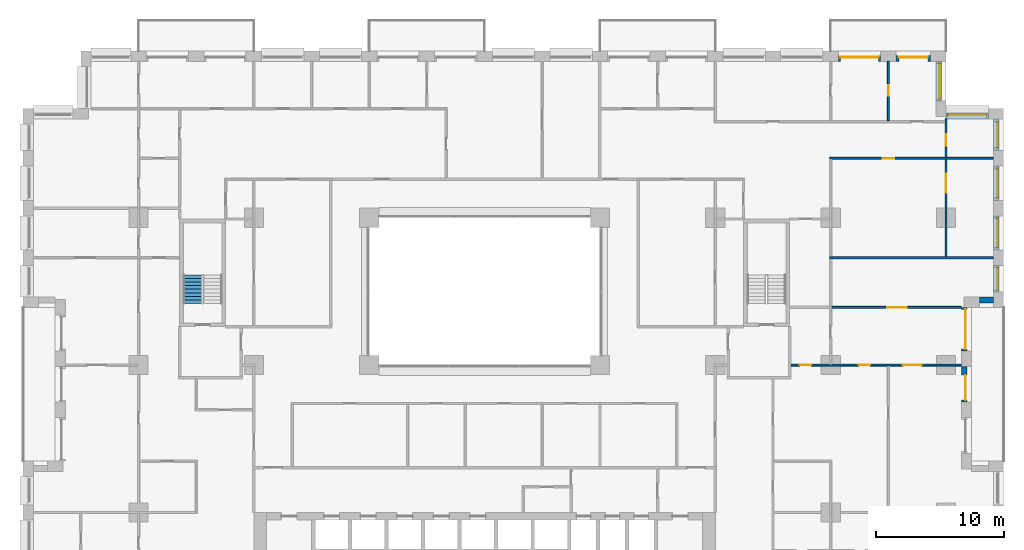
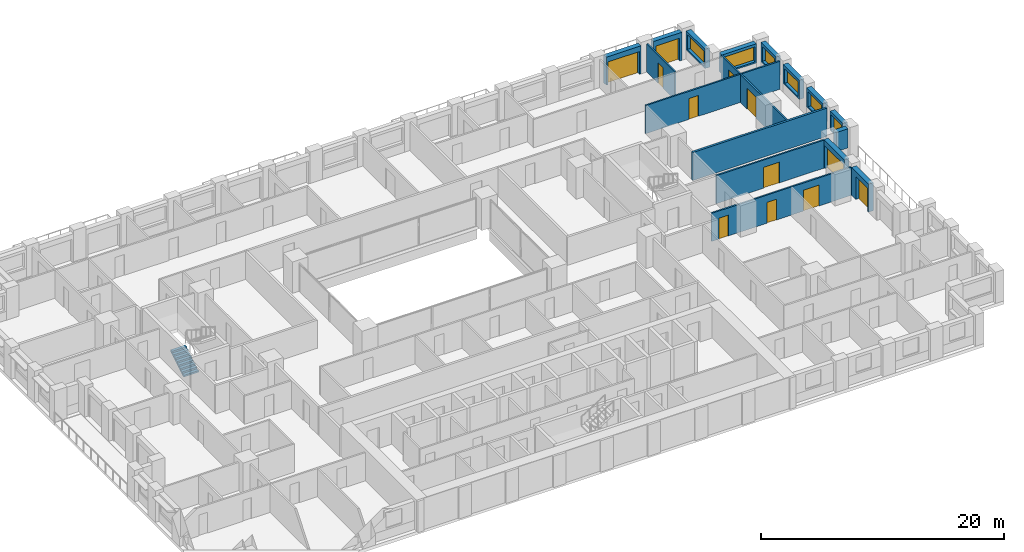
# One storey, part 18 of 21: 18 walls, 12 doors, 6 windows, 1 stair flight, 18 openings, 1 element without a shape of its own.
"""IFC4 building model written with IfcOpenShell, lengths in metres."""

from ifc_helpers import new_model, si_unit, direction, frame, frame_2d, origin, place, context, subcontext, project, spatial, polyline, rectangle, outline, extrude, material, layer, layer_set, type_object, element, fill, aggregate, save


model = new_model("IFC4")

# Units and contexts
model_context = context("Model", 3, precision=1e-05, world=origin(), true_north=direction((0.0, 1.0)))
body_context = subcontext(model_context, "Body", "Model", "MODEL_VIEW")
ifc_project = project(units=[si_unit("LENGTHUNIT", "METRE"), si_unit("AREAUNIT", "SQUARE_METRE"), si_unit("VOLUMEUNIT", "CUBIC_METRE"), si_unit("PLANEANGLEUNIT", "RADIAN"), si_unit("MASSUNIT", "GRAM", prefix="KILO")], contexts=[model_context])

# Site, building, storey
site_placement = place(None, origin())
site = spatial("IfcSite", under=ifc_project, at=site_placement, CompositionType="ELEMENT")
building_placement = place(site_placement, origin())
building = spatial("IfcBuilding", under=site, at=building_placement, Name="Brigalow Station Residences", CompositionType="ELEMENT")
storey_placement = place(building_placement, frame((0.0, 0.0, 47.85009765625)))
storey = spatial("IfcBuildingStorey", under=building, at=storey_placement, Name="L13", CompositionType="ELEMENT", Elevation=47.85009765625)

# Wall, opening, door
ifc_material_1 = material(Name="Clay brick masonry", Category="masonry")
ifc_layer_1 = layer(ifc_material_1, 0.449951171875)
ifc_layer_set_1 = layer_set([ifc_layer_1], Name="BRICK INFILL WALL 450")
wall_type_1 = type_object("IfcWallType", Name="BRICK INFILL WALL 450", PredefinedType="SOLIDWALL", material=ifc_layer_set_1)
wall_1_placement = place(storey_placement, frame((73.425048828125, 21.10009765625, 0.0), z_axis=(0.0, 0.0, 1.0), x_axis=(0.0, 1.0, 0.0)))
wall_1 = element("IfcWall", 1, at=wall_1_placement, inside=storey, type_object=wall_type_1, Name="L13/ewall/W-L13-16", PredefinedType="SOLIDWALL", context=body_context, shape_type="SweptSolid", body=[
    extrude(rectangle(XDim=2.7998046875, YDim=0.449951171875, at=frame_2d((1.39990234375, 0.0))), origin(), (0.0, 0.0, 1.0), 2.829833984375),
])
opening_1_placement = place(wall_1_placement, frame((0.1650390625, 0.0, 0.0)))
opening_1 = element("IfcOpeningElement", 2, at=opening_1_placement, cuts=wall_1, Name="Opening D-B1950", PredefinedType="OPENING", context=body_context, shape_type="SweptSolid", body=[
    extrude(rectangle(XDim=1.949951171875, YDim=2.300048828125, at=frame_2d((0.97509765625, 1.14990234375))), frame((0.0, 0.23486328125, 0.0), z_axis=(0.0, -1.0, 0.0), x_axis=(1.0, 0.0, 0.0)), (0.0, 0.0, 1.0), 0.469970703125),
])
ifc_material_2 = material(Name="Anodised aluminium frame with double glazing", Category="aluminium")
door_type_1 = type_object("IfcDoorType", Name="BALCONY SLIDING DOOR 1950x2300", OperationType="SLIDING_TO_LEFT", PredefinedType="DOOR", material=ifc_material_2)
door_1_placement = place(opening_1_placement, origin())
door_1 = element("IfcDoor", 3, at=door_1_placement, inside=storey, type_object=door_type_1, Name="L13/balcony-door/W-L13-16", OperationType="SLIDING_TO_LEFT", OverallHeight=2.300048828125, OverallWidth=1.949951171875, PredefinedType="DOOR", context=body_context, shape_type="SweptSolid", body=[
    extrude(rectangle(XDim=1.949951171875, YDim=2.300048828125, at=frame_2d((0.97509765625, 1.14990234375))), frame((0.0, -0.06982421875, 0.0), z_axis=(0.0, -1.0, 0.0), x_axis=(1.0, 0.0, 0.0)), (0.0, 0.0, 1.0), 0.050048828125),
])
fill(opening_1, door_1)

wall_2_placement = place(storey_placement, frame((73.425048828125, 25.10009765625, 0.0), z_axis=(0.0, 0.0, 1.0), x_axis=(0.0, 1.0, 0.0)))
wall_2 = element("IfcWall", 4, at=wall_2_placement, inside=storey, type_object=wall_type_1, Name="L13/ewall/W-L13-17", PredefinedType="SOLIDWALL", context=body_context, shape_type="SweptSolid", body=[
    extrude(rectangle(XDim=3.39990234375, YDim=0.449951171875, at=frame_2d((1.699951171875, 0.0))), origin(), (0.0, 0.0, 1.0), 2.829833984375),
])
opening_2_placement = place(wall_2_placement, frame((0.14990234375, 0.0, 0.0)))
opening_2 = element("IfcOpeningElement", 5, at=opening_2_placement, cuts=wall_2, Name="Opening D-B3100", PredefinedType="OPENING", context=body_context, shape_type="SweptSolid", body=[
    extrude(rectangle(XDim=3.10009765625, YDim=2.300048828125, at=frame_2d((1.550048828125, 1.14990234375))), frame((0.0, 0.23486328125, 0.0), z_axis=(0.0, -1.0, 0.0), x_axis=(1.0, 0.0, 0.0)), (0.0, 0.0, 1.0), 0.469970703125),
])
ifc_material_3 = material(Name="Anodised aluminium frame with double glazing", Category="aluminium")
door_type_2 = type_object("IfcDoorType", Name="BALCONY SLIDING DOOR 3100x2300", OperationType="SLIDING_TO_LEFT", PredefinedType="DOOR", material=ifc_material_3)
door_2_placement = place(opening_2_placement, origin())
door_2 = element("IfcDoor", 6, at=door_2_placement, inside=storey, type_object=door_type_2, Name="L13/balcony-door/W-L13-17", OperationType="SLIDING_TO_LEFT", OverallHeight=2.300048828125, OverallWidth=3.10009765625, PredefinedType="DOOR", context=body_context, shape_type="SweptSolid", body=[
    extrude(rectangle(XDim=3.10009765625, YDim=2.300048828125, at=frame_2d((1.550048828125, 1.14990234375))), frame((0.0, -0.06982421875, 0.0), z_axis=(0.0, -1.0, 0.0), x_axis=(1.0, 0.0, 0.0)), (0.0, 0.0, 1.0), 0.050048828125),
])
fill(opening_2, door_2)

# Wall
wall_3_placement = place(storey_placement, frame((74.60009765625, 29.074951171875, 0.89990234375), z_axis=(0.0, 0.0, 1.0), x_axis=(1.0, 0.0, 0.0)))
element("IfcWall", 7, at=wall_3_placement, inside=storey, type_object=wall_type_1, Name="L13/ewall/W-L13-18", PredefinedType="SOLIDWALL", context=body_context, shape_type="SweptSolid", body=[
    extrude(rectangle(XDim=1.099853515625, YDim=0.449951171875, at=frame_2d((0.5498046875, 0.0))), origin(), (0.0, 0.0, 1.0), 1.929931640625),
])

# Wall, opening, window
wall_4_placement = place(storey_placement, frame((75.925048828125, 29.699951171875, 0.89990234375), z_axis=(0.0, 0.0, 1.0), x_axis=(0.0, 1.0, 0.0)))
wall_4 = element("IfcWall", 8, at=wall_4_placement, inside=storey, type_object=wall_type_1, Name="L13/ewall/W-L13-19", PredefinedType="SOLIDWALL", context=body_context, shape_type="SweptSolid", body=[
    extrude(rectangle(XDim=2.074951171875, YDim=0.449951171875, at=frame_2d((1.03759765625, 0.0))), origin(), (0.0, 0.0, 1.0), 1.929931640625),
])
opening_3_placement = place(wall_4_placement, frame((0.16259765625, 0.0, 0.14990234375)))
opening_3 = element("IfcOpeningElement", 9, at=opening_3_placement, cuts=wall_4, Name="Opening WT-4", PredefinedType="OPENING", context=body_context, shape_type="SweptSolid", body=[
    extrude(rectangle(XDim=1.75, YDim=1.5, at=frame_2d((0.875, 0.75))), frame((0.0, 0.23486328125, 0.0), z_axis=(0.0, -1.0, 0.0), x_axis=(1.0, 0.0, 0.0)), (0.0, 0.0, 1.0), 0.469970703125),
])
ifc_material_4 = material(Name="Anodised aluminium frame with double glazing", Category="aluminium")
window_type_1 = type_object("IfcWindowType", Name="WINDOW 1750x1500", PartitioningType="SINGLE_PANEL", PredefinedType="WINDOW", material=ifc_material_4)
window_1_placement = place(opening_3_placement, origin())
window_1 = element("IfcWindow", 10, at=window_1_placement, inside=storey, type_object=window_type_1, Name="L13/window/W-L13-19", OverallHeight=1.5, OverallWidth=1.75, PartitioningType="SINGLE_PANEL", PredefinedType="WINDOW", context=body_context, shape_type="SweptSolid", body=[
    extrude(rectangle(XDim=1.75, YDim=1.5, at=frame_2d((0.875, 0.75))), frame((0.0, -0.06494140625, 0.0), z_axis=(0.0, -1.0, 0.0), x_axis=(1.0, 0.0, 0.0)), (0.0, 0.0, 1.0), 0.06005859375),
])
fill(opening_3, window_1)

wall_5_placement = place(storey_placement, frame((75.925048828125, 32.97509765625, 0.89990234375), z_axis=(0.0, 0.0, 1.0), x_axis=(0.0, 1.0, 0.0)))
wall_5 = element("IfcWall", 11, at=wall_5_placement, inside=storey, type_object=wall_type_1, Name="L13/ewall/W-L13-20", PredefinedType="SOLIDWALL", context=body_context, shape_type="SweptSolid", body=[
    extrude(rectangle(XDim=2.6748046875, YDim=0.449951171875, at=frame_2d((1.33740234375, 0.0))), origin(), (0.0, 0.0, 1.0), 1.929931640625),
])
opening_4_placement = place(wall_5_placement, frame((0.21240234375, 0.0, 0.14990234375)))
opening_4 = element("IfcOpeningElement", 12, at=opening_4_placement, cuts=wall_5, Name="Opening WT-6", PredefinedType="OPENING", context=body_context, shape_type="SweptSolid", body=[
    extrude(rectangle(XDim=2.25, YDim=1.5, at=frame_2d((1.125, 0.75))), frame((0.0, 0.23486328125, 0.0), z_axis=(0.0, -1.0, 0.0), x_axis=(1.0, 0.0, 0.0)), (0.0, 0.0, 1.0), 0.469970703125),
])
ifc_material_5 = material(Name="Anodised aluminium frame with double glazing", Category="aluminium")
window_type_2 = type_object("IfcWindowType", Name="WINDOW 2250x1500", PartitioningType="SINGLE_PANEL", PredefinedType="WINDOW", material=ifc_material_5)
window_2_placement = place(opening_4_placement, origin())
window_2 = element("IfcWindow", 13, at=window_2_placement, inside=storey, type_object=window_type_2, Name="L13/window/W-L13-20", OverallHeight=1.5, OverallWidth=2.25, PartitioningType="SINGLE_PANEL", PredefinedType="WINDOW", context=body_context, shape_type="SweptSolid", body=[
    extrude(rectangle(XDim=2.25, YDim=1.5, at=frame_2d((1.125, 0.75))), frame((0.0, -0.06494140625, 0.0), z_axis=(0.0, -1.0, 0.0), x_axis=(1.0, 0.0, 0.0)), (0.0, 0.0, 1.0), 0.06005859375),
])
fill(opening_4, window_2)

wall_6_placement = place(storey_placement, frame((75.925048828125, 36.85009765625, 0.89990234375), z_axis=(0.0, 0.0, 1.0), x_axis=(0.0, 1.0, 0.0)))
wall_6 = element("IfcWall", 14, at=wall_6_placement, inside=storey, type_object=wall_type_1, Name="L13/ewall/W-L13-21", PredefinedType="SOLIDWALL", context=body_context, shape_type="SweptSolid", body=[
    extrude(rectangle(XDim=2.6748046875, YDim=0.449951171875, at=frame_2d((1.33740234375, 0.0))), origin(), (0.0, 0.0, 1.0), 1.929931640625),
])
opening_5_placement = place(wall_6_placement, frame((0.21240234375, 0.0, 0.14990234375)))
opening_5 = element("IfcOpeningElement", 15, at=opening_5_placement, cuts=wall_6, Name="Opening WT-6", PredefinedType="OPENING", context=body_context, shape_type="SweptSolid", body=[
    extrude(rectangle(XDim=2.25, YDim=1.5, at=frame_2d((1.125, 0.75))), frame((0.0, 0.23486328125, 0.0), z_axis=(0.0, -1.0, 0.0), x_axis=(1.0, 0.0, 0.0)), (0.0, 0.0, 1.0), 0.469970703125),
])
window_3_placement = place(opening_5_placement, origin())
window_3 = element("IfcWindow", 16, at=window_3_placement, inside=storey, type_object=window_type_2, Name="L13/window/W-L13-21", OverallHeight=1.5, OverallWidth=2.25, PartitioningType="SINGLE_PANEL", PredefinedType="WINDOW", context=body_context, shape_type="SweptSolid", body=[
    extrude(rectangle(XDim=2.25, YDim=1.5, at=frame_2d((1.125, 0.75))), frame((0.0, -0.06494140625, 0.0), z_axis=(0.0, -1.0, 0.0), x_axis=(1.0, 0.0, 0.0)), (0.0, 0.0, 1.0), 0.06005859375),
])
fill(opening_5, window_3)

wall_7_placement = place(storey_placement, frame((75.925048828125, 40.72509765625, 0.89990234375), z_axis=(0.0, 0.0, 1.0), x_axis=(0.0, 1.0, 0.0)))
wall_7 = element("IfcWall", 17, at=wall_7_placement, inside=storey, type_object=wall_type_1, Name="L13/ewall/W-L13-22", PredefinedType="SOLIDWALL", context=body_context, shape_type="SweptSolid", body=[
    extrude(rectangle(XDim=2.474853515625, YDim=0.449951171875, at=frame_2d((1.2373046875, 0.0))), origin(), (0.0, 0.0, 1.0), 1.929931640625),
])
opening_6_placement = place(wall_7_placement, frame((0.237548828125, 0.0, 0.14990234375)))
opening_6 = element("IfcOpeningElement", 18, at=opening_6_placement, cuts=wall_7, Name="Opening WT-7", PredefinedType="OPENING", context=body_context, shape_type="SweptSolid", body=[
    extrude(rectangle(XDim=2.0, YDim=1.5, at=frame_2d((1.0, 0.75))), frame((0.0, 0.23486328125, 0.0), z_axis=(0.0, -1.0, 0.0), x_axis=(1.0, 0.0, 0.0)), (0.0, 0.0, 1.0), 0.469970703125),
])
ifc_material_6 = material(Name="Anodised aluminium frame with double glazing", Category="aluminium")
window_type_3 = type_object("IfcWindowType", Name="WINDOW 2000x1500", PartitioningType="SINGLE_PANEL", PredefinedType="WINDOW", material=ifc_material_6)
window_4_placement = place(opening_6_placement, origin())
window_4 = element("IfcWindow", 19, at=window_4_placement, inside=storey, type_object=window_type_3, Name="L13/window/W-L13-22", OverallHeight=1.5, OverallWidth=2.0, PartitioningType="SINGLE_PANEL", PredefinedType="WINDOW", context=body_context, shape_type="SweptSolid", body=[
    extrude(rectangle(XDim=2.0, YDim=1.5, at=frame_2d((1.0, 0.75))), frame((0.0, -0.06494140625, 0.0), z_axis=(0.0, -1.0, 0.0), x_axis=(1.0, 0.0, 0.0)), (0.0, 0.0, 1.0), 0.06005859375),
])
fill(opening_6, window_4)

wall_8_placement = place(storey_placement, frame((75.300048828125, 43.425048828125, 0.89990234375), z_axis=(0.0, 0.0, 1.0), x_axis=(-1.0, 0.0, 0.0)))
wall_8 = element("IfcWall", 20, at=wall_8_placement, inside=storey, type_object=wall_type_1, Name="L13/ewall/W-L13-23", PredefinedType="SOLIDWALL", context=body_context, shape_type="SweptSolid", body=[
    extrude(rectangle(XDim=3.300048828125, YDim=0.449951171875, at=frame_2d((1.64990234375, 0.0))), origin(), (0.0, 0.0, 1.0), 1.929931640625),
])
opening_7_placement = place(wall_8_placement, frame((0.14990234375, 0.0, 0.14990234375)))
opening_7 = element("IfcOpeningElement", 21, at=opening_7_placement, cuts=wall_8, Name="Opening WT-2", PredefinedType="OPENING", context=body_context, shape_type="SweptSolid", body=[
    extrude(rectangle(XDim=3.0, YDim=1.5, at=frame_2d((1.5, 0.75))), frame((0.0, 0.23486328125, 0.0), z_axis=(0.0, -1.0, 0.0), x_axis=(1.0, 0.0, 0.0)), (0.0, 0.0, 1.0), 0.469970703125),
])
ifc_material_7 = material(Name="Anodised aluminium frame with double glazing", Category="aluminium")
window_type_4 = type_object("IfcWindowType", Name="WINDOW 3000x1500", PartitioningType="SINGLE_PANEL", PredefinedType="WINDOW", material=ifc_material_7)
window_5_placement = place(opening_7_placement, origin())
window_5 = element("IfcWindow", 22, at=window_5_placement, inside=storey, type_object=window_type_4, Name="L13/window/W-L13-23", OverallHeight=1.5, OverallWidth=3.0, PartitioningType="SINGLE_PANEL", PredefinedType="WINDOW", context=body_context, shape_type="SweptSolid", body=[
    extrude(rectangle(XDim=3.0, YDim=1.5, at=frame_2d((1.5, 0.75))), frame((0.0, -0.06494140625, 0.0), z_axis=(0.0, -1.0, 0.0), x_axis=(1.0, 0.0, 0.0)), (0.0, 0.0, 1.0), 0.06005859375),
])
fill(opening_7, window_5)

wall_9_placement = place(storey_placement, frame((71.425048828125, 44.60009765625, 0.89990234375), z_axis=(0.0, 0.0, 1.0), x_axis=(0.0, 1.0, 0.0)))
wall_9 = element("IfcWall", 23, at=wall_9_placement, inside=storey, type_object=wall_type_1, Name="L13/ewall/W-L13-24", PredefinedType="SOLIDWALL", context=body_context, shape_type="SweptSolid", body=[
    extrude(rectangle(XDim=3.099853515625, YDim=0.449951171875, at=frame_2d((1.5498046875, 0.0))), origin(), (0.0, 0.0, 1.0), 1.929931640625),
])
opening_8_placement = place(wall_9_placement, frame((0.175048828125, 0.0, 0.14990234375)))
opening_8 = element("IfcOpeningElement", 24, at=opening_8_placement, cuts=wall_9, Name="Opening WT-3", PredefinedType="OPENING", context=body_context, shape_type="SweptSolid", body=[
    extrude(rectangle(XDim=2.75, YDim=1.5, at=frame_2d((1.375, 0.75))), frame((0.0, 0.23486328125, 0.0), z_axis=(0.0, -1.0, 0.0), x_axis=(1.0, 0.0, 0.0)), (0.0, 0.0, 1.0), 0.469970703125),
])
ifc_material_8 = material(Name="Anodised aluminium frame with double glazing", Category="aluminium")
window_type_5 = type_object("IfcWindowType", Name="WINDOW 2750x1500", PartitioningType="SINGLE_PANEL", PredefinedType="WINDOW", material=ifc_material_8)
window_6_placement = place(opening_8_placement, origin())
window_6 = element("IfcWindow", 25, at=window_6_placement, inside=storey, type_object=window_type_5, Name="L13/window/W-L13-24", OverallHeight=1.5, OverallWidth=2.75, PartitioningType="SINGLE_PANEL", PredefinedType="WINDOW", context=body_context, shape_type="SweptSolid", body=[
    extrude(rectangle(XDim=2.75, YDim=1.5, at=frame_2d((1.375, 0.75))), frame((0.0, -0.06494140625, 0.0), z_axis=(0.0, -1.0, 0.0), x_axis=(1.0, 0.0, 0.0)), (0.0, 0.0, 1.0), 0.06005859375),
])
fill(opening_8, window_6)

# Wall, opening, door
wall_10_placement = place(storey_placement, frame((70.800048828125, 47.925048828125, 0.0), z_axis=(0.0, 0.0, 1.0), x_axis=(-1.0, 0.0, 0.0)))
wall_10 = element("IfcWall", 26, at=wall_10_placement, inside=storey, type_object=wall_type_1, Name="L13/ewall/W-L13-25", PredefinedType="SOLIDWALL", context=body_context, shape_type="SweptSolid", body=[
    extrude(rectangle(XDim=2.699951171875, YDim=0.449951171875, at=frame_2d((1.35009765625, 0.0))), origin(), (0.0, 0.0, 1.0), 2.829833984375),
])
opening_9_placement = place(wall_10_placement, frame((0.22509765625, 0.0, 0.0)))
opening_9 = element("IfcOpeningElement", 27, at=opening_9_placement, cuts=wall_10, Name="Opening D-B2250", PredefinedType="OPENING", context=body_context, shape_type="SweptSolid", body=[
    extrude(rectangle(XDim=2.25, YDim=2.300048828125, at=frame_2d((1.125, 1.14990234375))), frame((0.0, 0.23486328125, 0.0), z_axis=(0.0, -1.0, 0.0), x_axis=(1.0, 0.0, 0.0)), (0.0, 0.0, 1.0), 0.469970703125),
])
ifc_material_9 = material(Name="Anodised aluminium frame with double glazing", Category="aluminium")
door_type_3 = type_object("IfcDoorType", Name="BALCONY SLIDING DOOR 2250x2300", OperationType="SLIDING_TO_LEFT", PredefinedType="DOOR", material=ifc_material_9)
door_3_placement = place(opening_9_placement, origin())
door_3 = element("IfcDoor", 28, at=door_3_placement, inside=storey, type_object=door_type_3, Name="L13/balcony-door/W-L13-25", OperationType="SLIDING_TO_LEFT", OverallHeight=2.300048828125, OverallWidth=2.25, PredefinedType="DOOR", context=body_context, shape_type="SweptSolid", body=[
    extrude(rectangle(XDim=2.25, YDim=2.300048828125, at=frame_2d((1.125, 1.14990234375))), frame((0.0, -0.06982421875, 0.0), z_axis=(0.0, -1.0, 0.0), x_axis=(1.0, 0.0, 0.0)), (0.0, 0.0, 1.0), 0.050048828125),
])
fill(opening_9, door_3)

wall_11_placement = place(storey_placement, frame((66.89990234375, 47.925048828125, 0.0), z_axis=(0.0, 0.0, 1.0), x_axis=(-1.0, 0.0, 0.0)))
wall_11 = element("IfcWall", 29, at=wall_11_placement, inside=storey, type_object=wall_type_1, Name="L13/ewall/W-L13-26", PredefinedType="SOLIDWALL", context=body_context, shape_type="SweptSolid", body=[
    extrude(rectangle(XDim=3.2998046875, YDim=0.449951171875, at=frame_2d((1.64990234375, 0.0))), origin(), (0.0, 0.0, 1.0), 2.829833984375),
])
opening_10_placement = place(wall_11_placement, frame((0.14990234375, 0.0, 0.0)))
opening_10 = element("IfcOpeningElement", 30, at=opening_10_placement, cuts=wall_11, Name="Opening D-B3000", PredefinedType="OPENING", context=body_context, shape_type="SweptSolid", body=[
    extrude(rectangle(XDim=3.0, YDim=2.300048828125, at=frame_2d((1.5, 1.14990234375))), frame((0.0, 0.23486328125, 0.0), z_axis=(0.0, -1.0, 0.0), x_axis=(1.0, 0.0, 0.0)), (0.0, 0.0, 1.0), 0.469970703125),
])
ifc_material_10 = material(Name="Anodised aluminium frame with double glazing", Category="aluminium")
door_type_4 = type_object("IfcDoorType", Name="BALCONY SLIDING DOOR 3000x2300", OperationType="SLIDING_TO_LEFT", PredefinedType="DOOR", material=ifc_material_10)
door_4_placement = place(opening_10_placement, origin())
door_4 = element("IfcDoor", 31, at=door_4_placement, inside=storey, type_object=door_type_4, Name="L13/balcony-door/W-L13-26", OperationType="SLIDING_TO_LEFT", OverallHeight=2.300048828125, OverallWidth=3.0, PredefinedType="DOOR", context=body_context, shape_type="SweptSolid", body=[
    extrude(rectangle(XDim=3.0, YDim=2.300048828125, at=frame_2d((1.5, 1.14990234375))), frame((0.0, -0.06982421875, 0.0), z_axis=(0.0, -1.0, 0.0), x_axis=(1.0, 0.0, 0.0)), (0.0, 0.0, 1.0), 0.050048828125),
])
fill(opening_10, door_4)

# Wall, openings, doors
ifc_material_11 = material(Name="Plasterboard on steel stud partition", Category="steel")
ifc_layer_2 = layer(ifc_material_11, 0.14990234375)
ifc_layer_set_2 = layer_set([ifc_layer_2], Name="FLAT PARTITION 150")
wall_type_2 = type_object("IfcWallType", Name="FLAT PARTITION 150", PredefinedType="PARTITIONING", material=ifc_layer_set_2)
wall_12_placement = place(storey_placement, frame((59.89990234375, 24.0, 0.0), z_axis=(0.0, 0.0, 1.0), x_axis=(1.0, 0.0, 0.0)))
wall_12 = element("IfcWall", 32, at=wall_12_placement, inside=storey, type_object=wall_type_2, Name="PW-1D03", PredefinedType="PARTITIONING", context=body_context, shape_type="SweptSolid", body=[
    extrude(rectangle(XDim=13.300048828125, YDim=0.14990234375, at=frame_2d((6.64990234375, 0.0))), origin(), (0.0, 0.0, 1.0), 2.829833984375),
])
opening_11_placement = place(wall_12_placement, frame((5.27490234375, 0.0, 0.0)))
opening_11 = element("IfcOpeningElement", 33, at=opening_11_placement, cuts=wall_12, Name="Opening D-1D54", PredefinedType="OPENING", context=body_context, shape_type="SweptSolid", body=[
    extrude(rectangle(XDim=0.89990234375, YDim=2.10009765625, at=frame_2d((0.449951171875, 1.050048828125))), frame((0.0, 0.0849609375, 0.0), z_axis=(0.0, -1.0, 0.0), x_axis=(1.0, 0.0, 0.0)), (0.0, 0.0, 1.0), 0.169921875),
])
opening_12_placement = place(wall_12_placement, frame((8.72509765625, 0.0, 0.0)))
opening_12 = element("IfcOpeningElement", 34, at=opening_12_placement, cuts=wall_12, Name="Opening D-1D55", PredefinedType="OPENING", context=body_context, shape_type="SweptSolid", body=[
    extrude(rectangle(XDim=1.5, YDim=2.10009765625, at=frame_2d((0.75, 1.050048828125))), frame((0.0, 0.0849609375, 0.0), z_axis=(0.0, -1.0, 0.0), x_axis=(1.0, 0.0, 0.0)), (0.0, 0.0, 1.0), 0.169921875),
])
opening_13_placement = place(wall_12_placement, frame((0.675048828125, 0.0, 0.0)))
opening_13 = element("IfcOpeningElement", 35, at=opening_13_placement, cuts=wall_12, Name="Opening D-1D64", PredefinedType="OPENING", context=body_context, shape_type="SweptSolid", body=[
    extrude(rectangle(XDim=0.89990234375, YDim=2.10009765625, at=frame_2d((0.449951171875, 1.050048828125))), frame((0.0, 0.0849609375, 0.0), z_axis=(0.0, -1.0, 0.0), x_axis=(1.0, 0.0, 0.0)), (0.0, 0.0, 1.0), 0.169921875),
])
ifc_material_12 = material(Name="Solid-core timber door leaf", Category="wood")
door_type_5 = type_object("IfcDoorType", Name="INTERNAL DOOR 900 x 2100", OperationType="SINGLE_SWING_LEFT", PredefinedType="DOOR", material=ifc_material_12)
door_5_placement = place(opening_11_placement, origin())
door_5 = element("IfcDoor", 36, at=door_5_placement, inside=storey, type_object=door_type_5, Name="D-1D54", OperationType="SINGLE_SWING_LEFT", OverallHeight=2.10009765625, OverallWidth=0.89990234375, PredefinedType="DOOR", context=body_context, shape_type="SweptSolid", body=[
    extrude(rectangle(XDim=0.89990234375, YDim=2.10009765625, at=frame_2d((0.449951171875, 1.050048828125))), frame((0.0, 0.02490234375, 0.0), z_axis=(0.0, -1.0, 0.0), x_axis=(1.0, 0.0, 0.0)), (0.0, 0.0, 1.0), 0.050048828125),
])
fill(opening_11, door_5)
door_6_placement = place(opening_13_placement, origin())
door_6 = element("IfcDoor", 37, at=door_6_placement, inside=storey, type_object=door_type_5, Name="D-1D64", OperationType="SINGLE_SWING_LEFT", OverallHeight=2.10009765625, OverallWidth=0.89990234375, PredefinedType="DOOR", context=body_context, shape_type="SweptSolid", body=[
    extrude(rectangle(XDim=0.89990234375, YDim=2.10009765625, at=frame_2d((0.449951171875, 1.050048828125))), frame((0.0, 0.02490234375, 0.0), z_axis=(0.0, -1.0, 0.0), x_axis=(1.0, 0.0, 0.0)), (0.0, 0.0, 1.0), 0.050048828125),
])
fill(opening_13, door_6)
ifc_material_13 = material(Name="Solid-core timber door leaf", Category="wood")
door_type_6 = type_object("IfcDoorType", Name="INTERNAL DOUBLE DOOR 1500 x 2100", OperationType="DOUBLE_DOOR_SINGLE_SWING", PredefinedType="DOOR", material=ifc_material_13)
door_7_placement = place(opening_12_placement, origin())
door_7 = element("IfcDoor", 38, at=door_7_placement, inside=storey, type_object=door_type_6, Name="D-1D55", OperationType="DOUBLE_DOOR_SINGLE_SWING", OverallHeight=2.10009765625, OverallWidth=1.5, PredefinedType="DOOR", context=body_context, shape_type="SweptSolid", body=[
    extrude(rectangle(XDim=1.5, YDim=2.10009765625, at=frame_2d((0.75, 1.050048828125))), frame((0.0, 0.02490234375, 0.0), z_axis=(0.0, -1.0, 0.0), x_axis=(1.0, 0.0, 0.0)), (0.0, 0.0, 1.0), 0.050048828125),
])
fill(opening_12, door_7)

# Wall, opening, door
wall_13_placement = place(storey_placement, frame((62.925048828125, 40.125, 0.0), z_axis=(0.0, 0.0, 1.0), x_axis=(1.0, 0.0, 0.0)))
wall_13 = element("IfcWall", 39, at=wall_13_placement, inside=storey, type_object=wall_type_2, Name="PW-1D29", PredefinedType="PARTITIONING", context=body_context, shape_type="SweptSolid", body=[
    extrude(rectangle(XDim=12.77490234375, YDim=0.14990234375, at=frame_2d((6.387451171875, 0.0))), origin(), (0.0, 0.0, 1.0), 2.829833984375),
])
opening_14_placement = place(wall_13_placement, frame((4.125, 0.0, 0.0)))
opening_14 = element("IfcOpeningElement", 40, at=opening_14_placement, cuts=wall_13, Name="Opening D-1D42", PredefinedType="OPENING", context=body_context, shape_type="SweptSolid", body=[
    extrude(rectangle(XDim=0.89990234375, YDim=2.10009765625, at=frame_2d((0.449951171875, 1.050048828125))), frame((0.0, 0.0849609375, 0.0), z_axis=(0.0, -1.0, 0.0), x_axis=(1.0, 0.0, 0.0)), (0.0, 0.0, 1.0), 0.169921875),
])
door_8_placement = place(opening_14_placement, frame((0.89990234375, 0.0, 0.0), z_axis=(0.0, 0.0, 1.0), x_axis=(-1.0, 0.0, 0.0)))
door_8 = element("IfcDoor", 41, at=door_8_placement, inside=storey, type_object=door_type_5, Name="D-1D42", OperationType="SINGLE_SWING_LEFT", OverallHeight=2.10009765625, OverallWidth=0.89990234375, PredefinedType="DOOR", context=body_context, shape_type="SweptSolid", body=[
    extrude(rectangle(XDim=0.89990234375, YDim=2.10009765625, at=frame_2d((0.449951171875, 1.050048828125))), frame((0.0, 0.02490234375, 0.0), z_axis=(0.0, -1.0, 0.0), x_axis=(1.0, 0.0, 0.0)), (0.0, 0.0, 1.0), 0.050048828125),
])
fill(opening_14, door_8)

wall_14_placement = place(storey_placement, frame((62.925048828125, 28.5, 0.0), z_axis=(0.0, 0.0, 1.0), x_axis=(1.0, 0.0, 0.0)))
wall_14 = element("IfcWall", 42, at=wall_14_placement, inside=storey, type_object=wall_type_2, Name="PW-1D31", PredefinedType="PARTITIONING", context=body_context, shape_type="SweptSolid", body=[
    extrude(rectangle(XDim=10.27490234375, YDim=0.14990234375, at=frame_2d((5.137451171875, 0.0))), origin(), (0.0, 0.0, 1.0), 2.829833984375),
])
opening_15_placement = place(wall_14_placement, frame((4.5, 0.0, 0.0)))
opening_15 = element("IfcOpeningElement", 43, at=opening_15_placement, cuts=wall_14, Name="Opening D-1D53", PredefinedType="OPENING", context=body_context, shape_type="SweptSolid", body=[
    extrude(rectangle(XDim=1.5, YDim=2.10009765625, at=frame_2d((0.75, 1.050048828125))), frame((0.0, 0.0849609375, 0.0), z_axis=(0.0, -1.0, 0.0), x_axis=(1.0, 0.0, 0.0)), (0.0, 0.0, 1.0), 0.169921875),
])
door_9_placement = place(opening_15_placement, frame((1.5, 0.0, 0.0), z_axis=(0.0, 0.0, 1.0), x_axis=(-1.0, 0.0, 0.0)))
door_9 = element("IfcDoor", 44, at=door_9_placement, inside=storey, type_object=door_type_6, Name="D-1D53", OperationType="DOUBLE_DOOR_SINGLE_SWING", OverallHeight=2.10009765625, OverallWidth=1.5, PredefinedType="DOOR", context=body_context, shape_type="SweptSolid", body=[
    extrude(rectangle(XDim=1.5, YDim=2.10009765625, at=frame_2d((0.75, 1.050048828125))), frame((0.0, 0.02490234375, 0.0), z_axis=(0.0, -1.0, 0.0), x_axis=(1.0, 0.0, 0.0)), (0.0, 0.0, 1.0), 0.050048828125),
])
fill(opening_15, door_9)

wall_15_placement = place(storey_placement, frame((72.0, 32.47509765625, 0.0), z_axis=(0.0, 0.0, 1.0), x_axis=(0.0, 1.0, 0.0)))
wall_15 = element("IfcWall", 45, at=wall_15_placement, inside=storey, type_object=wall_type_2, Name="PW-1D76", PredefinedType="PARTITIONING", context=body_context, shape_type="SweptSolid", body=[
    extrude(rectangle(XDim=7.574951171875, YDim=0.14990234375, at=frame_2d((3.78759765625, 0.0))), origin(), (0.0, 0.0, 1.0), 2.829833984375),
])
opening_16_placement = place(wall_15_placement, frame((4.962890625, 0.0, 0.0)))
opening_16 = element("IfcOpeningElement", 46, at=opening_16_placement, cuts=wall_15, Name="Opening D-1D47", PredefinedType="OPENING", context=body_context, shape_type="SweptSolid", body=[
    extrude(rectangle(XDim=1.5, YDim=2.10009765625, at=frame_2d((0.75, 1.050048828125))), frame((0.0, 0.0849609375, 0.0), z_axis=(0.0, -1.0, 0.0), x_axis=(1.0, 0.0, 0.0)), (0.0, 0.0, 1.0), 0.169921875),
])
door_10_placement = place(opening_16_placement, frame((1.5, 0.0, 0.0), z_axis=(0.0, 0.0, 1.0), x_axis=(-1.0, 0.0, 0.0)))
door_10 = element("IfcDoor", 47, at=door_10_placement, inside=storey, type_object=door_type_6, Name="D-1D47", OperationType="DOUBLE_DOOR_SINGLE_SWING", OverallHeight=2.10009765625, OverallWidth=1.5, PredefinedType="DOOR", context=body_context, shape_type="SweptSolid", body=[
    extrude(rectangle(XDim=1.5, YDim=2.10009765625, at=frame_2d((0.75, 1.050048828125))), frame((0.0, 0.02490234375, 0.0), z_axis=(0.0, -1.0, 0.0), x_axis=(1.0, 0.0, 0.0)), (0.0, 0.0, 1.0), 0.050048828125),
])
fill(opening_16, door_10)

wall_16_placement = place(storey_placement, frame((72.0, 40.199951171875, 0.0), z_axis=(0.0, 0.0, 1.0), x_axis=(0.0, 1.0, 0.0)))
wall_16 = element("IfcWall", 48, at=wall_16_placement, inside=storey, type_object=wall_type_2, Name="PW-1D77", PredefinedType="PARTITIONING", context=body_context, shape_type="SweptSolid", body=[
    extrude(rectangle(XDim=3.0, YDim=0.14990234375, at=frame_2d((1.5, 0.0))), origin(), (0.0, 0.0, 1.0), 2.829833984375),
])
opening_17_placement = place(wall_16_placement, frame((0.912109375, 0.0, 0.0)))
opening_17 = element("IfcOpeningElement", 49, at=opening_17_placement, cuts=wall_16, Name="Opening D-1D43", PredefinedType="OPENING", context=body_context, shape_type="SweptSolid", body=[
    extrude(rectangle(XDim=0.89990234375, YDim=2.10009765625, at=frame_2d((0.449951171875, 1.050048828125))), frame((0.0, 0.0849609375, 0.0), z_axis=(0.0, -1.0, 0.0), x_axis=(1.0, 0.0, 0.0)), (0.0, 0.0, 1.0), 0.169921875),
])
door_11_placement = place(opening_17_placement, frame((0.89990234375, 0.0, 0.0), z_axis=(0.0, 0.0, 1.0), x_axis=(-1.0, 0.0, 0.0)))
door_11 = element("IfcDoor", 50, at=door_11_placement, inside=storey, type_object=door_type_5, Name="D-1D43", OperationType="SINGLE_SWING_RIGHT", OverallHeight=2.10009765625, OverallWidth=0.89990234375, PredefinedType="DOOR", context=body_context, shape_type="SweptSolid", body=[
    extrude(rectangle(XDim=0.89990234375, YDim=2.10009765625, at=frame_2d((0.449951171875, 1.050048828125))), frame((0.0, 0.02490234375, 0.0), z_axis=(0.0, -1.0, 0.0), x_axis=(1.0, 0.0, 0.0)), (0.0, 0.0, 1.0), 0.050048828125),
])
fill(opening_17, door_11)

wall_17_placement = place(storey_placement, frame((67.5, 43.074951171875, 0.0), z_axis=(0.0, 0.0, 1.0), x_axis=(0.0, 1.0, 0.0)))
wall_17 = element("IfcWall", 51, at=wall_17_placement, inside=storey, type_object=wall_type_2, Name="PW-1D81", PredefinedType="PARTITIONING", context=body_context, shape_type="SweptSolid", body=[
    extrude(rectangle(XDim=4.625, YDim=0.14990234375, at=frame_2d((2.3125, 0.0))), origin(), (0.0, 0.0, 1.0), 2.829833984375),
])
opening_18_placement = place(wall_17_placement, frame((1.949951171875, 0.0, 0.0)))
opening_18 = element("IfcOpeningElement", 52, at=opening_18_placement, cuts=wall_17, Name="Opening D-1D34", PredefinedType="OPENING", context=body_context, shape_type="SweptSolid", body=[
    extrude(rectangle(XDim=0.800048828125, YDim=2.10009765625, at=frame_2d((0.39990234375, 1.050048828125))), frame((0.0, 0.0849609375, 0.0), z_axis=(0.0, -1.0, 0.0), x_axis=(1.0, 0.0, 0.0)), (0.0, 0.0, 1.0), 0.169921875),
])
ifc_material_14 = material(Name="Solid-core timber door leaf", Category="wood")
door_type_7 = type_object("IfcDoorType", Name="INTERNAL DOOR 800 x 2100", OperationType="SINGLE_SWING_LEFT", PredefinedType="DOOR", material=ifc_material_14)
door_12_placement = place(opening_18_placement, origin())
door_12 = element("IfcDoor", 53, at=door_12_placement, inside=storey, type_object=door_type_7, Name="D-1D34", OperationType="SINGLE_SWING_RIGHT", OverallHeight=2.10009765625, OverallWidth=0.800048828125, PredefinedType="DOOR", context=body_context, shape_type="SweptSolid", body=[
    extrude(rectangle(XDim=0.800048828125, YDim=2.10009765625, at=frame_2d((0.39990234375, 1.050048828125))), frame((0.0, 0.02490234375, 0.0), z_axis=(0.0, -1.0, 0.0), x_axis=(1.0, 0.0, 0.0)), (0.0, 0.0, 1.0), 0.050048828125),
])
fill(opening_18, door_12)

# Wall
ifc_material_15 = material(Name="Plasterboard on steel stud partition", Category="steel")
ifc_layer_3 = layer(ifc_material_15, 0.199951171875)
ifc_layer_set_3 = layer_set([ifc_layer_3], Name="PARTY AND CORRIDOR WALL 200")
wall_type_3 = type_object("IfcWallType", Name="PARTY AND CORRIDOR WALL 200", PredefinedType="PARTITIONING", material=ifc_layer_set_3)
wall_18_placement = place(storey_placement, frame((62.925048828125, 32.375, 0.0), z_axis=(0.0, 0.0, 1.0), x_axis=(1.0, 0.0, 0.0)))
element("IfcWall", 54, at=wall_18_placement, inside=storey, type_object=wall_type_3, Name="PW-1D19", PredefinedType="PARTITIONING", context=body_context, shape_type="SweptSolid", body=[
    extrude(rectangle(XDim=12.77490234375, YDim=0.199951171875, at=frame_2d((6.387451171875, 0.0))), origin(), (0.0, 0.0, 1.0), 2.829833984375),
])

# Stair, stair flight
ifc_material_16 = material(Name="Concrete C50", Category="concrete")
stair_type = type_object("IfcStairType", Name="EXIT STAIR 1400 2 FLIGHT", PredefinedType="HALF_TURN_STAIR", material=ifc_material_16)
stair_placement = place(storey_placement, origin())
stair = element("IfcStair", 55, at=stair_placement, inside=storey, type_object=stair_type, Name="EXIT STAIR S1 L13", PredefinedType="HALF_TURN_STAIR")
ifc_material_17 = material(Name="Concrete C50", Category="concrete")
stair_flight_type = type_object("IfcStairFlightType", Name="STAIR FLIGHT 1400", PredefinedType="STRAIGHT", material=ifc_material_17)
stair_flight_placement = place(storey_placement, frame((13.199951171875, 28.800048828125, 0.0), z_axis=(0.0, 0.0, 1.0), x_axis=(0.0, 1.0, 0.0)))
stair_flight = element("IfcStairFlight", 56, at=stair_flight_placement, type_object=stair_flight_type, Name="ST-1 flight 1", NumberOfRisers=9, NumberOfTreads=8, PredefinedType="STRAIGHT", RiserHeight=0.175, TreadLength=0.28, context=body_context, shape_type="SweptSolid", body=[
    extrude(outline(polyline([(0.0, 0.0), (0.0, 0.175048828125), (0.280029296875, 0.175048828125), (0.280029296875, 0.35009765625), (0.56005859375, 0.35009765625), (0.56005859375, 0.52490234375), (0.840087890625, 0.52490234375), (0.840087890625, 0.699951171875), (1.1201171875, 0.699951171875), (1.1201171875, 0.875), (1.39990234375, 0.875), (1.39990234375, 1.050048828125), (1.679931640625, 1.050048828125), (1.679931640625, 1.22509765625), (1.9599609375, 1.22509765625), (1.9599609375, 1.39990234375), (2.239990234375, 1.39990234375), (2.239990234375, 1.574951171875), (2.239990234375, 1.22314453125), (0.28271484375, 0.0), (0.0, 0.0)])), frame((0.0, 0.699951171875, 0.0), z_axis=(0.0, -1.0, 0.0), x_axis=(1.0, 0.0, 0.0)), (0.0, 0.0, 1.0), 1.39990234375),
])
aggregate(stair, [stair_flight])

save(model, "model.ifc")
